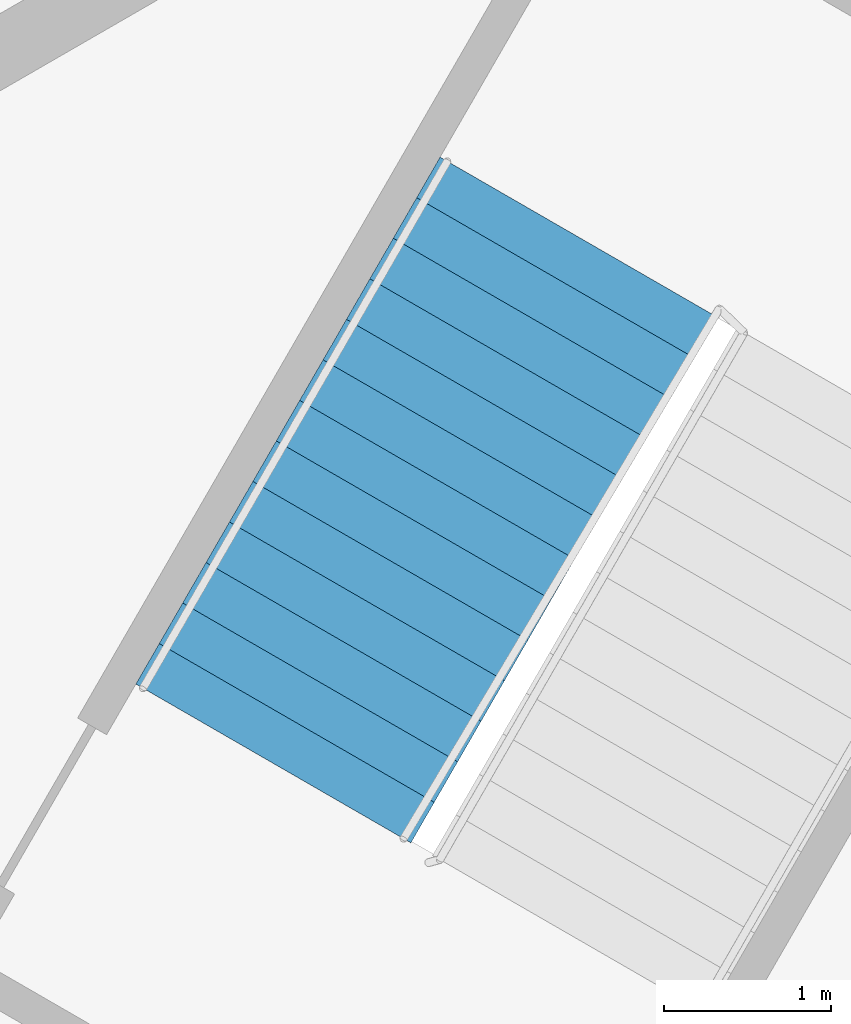
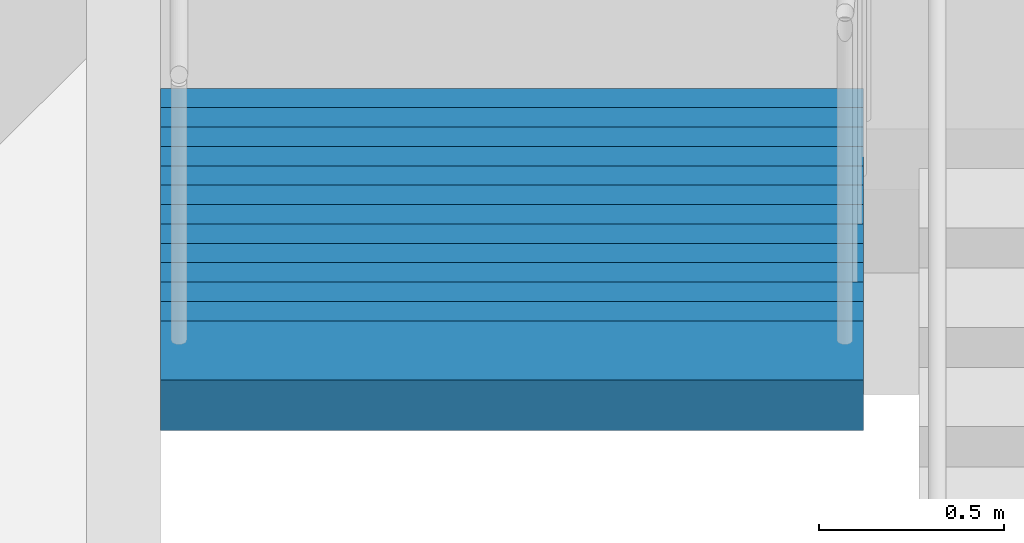
# One storey, part 6 of 9: 1 stair flight, 1 element without a shape of its own.
"""IFC4 building model written with IfcOpenShell, lengths in metres."""

from ifc_helpers import new_model, si_unit, direction, frame, origin, place, context, subcontext, project, spatial, polyline, outline, extrude, material, type_object, element, aggregate, save


model = new_model("IFC4")

# Units and contexts
model_context = context("Model", 3, precision=1e-05, world=origin(), true_north=direction((0.0, 1.0)))
body_context = subcontext(model_context, "Body", "Model", "MODEL_VIEW")
ifc_project = project(units=[si_unit("LENGTHUNIT", "METRE"), si_unit("AREAUNIT", "SQUARE_METRE"), si_unit("VOLUMEUNIT", "CUBIC_METRE"), si_unit("PLANEANGLEUNIT", "RADIAN"), si_unit("MASSUNIT", "GRAM", prefix="KILO")], contexts=[model_context])

# Site, building, storey
site_placement = place(None, origin())
site = spatial("IfcSite", under=ifc_project, at=site_placement, CompositionType="ELEMENT")
building_placement = place(site_placement, origin())
building = spatial("IfcBuilding", under=site, at=building_placement, Name="Jabali Bay Hotel Tower and Convention Centre", CompositionType="ELEMENT")
storey_placement = place(building_placement, frame((0.0, 0.0, 270.10009765625)))
storey = spatial("IfcBuildingStorey", under=building, at=storey_placement, Name="L66", CompositionType="ELEMENT", Elevation=270.10009765625)

# Stair, stair flight
ifc_material = material(Name="Concrete C40", Category="concrete")
stair_type = type_object("IfcStairType", Name="Exit stair 1900", PredefinedType="HALF_TURN_STAIR", material=ifc_material)
stair_placement = place(storey_placement, origin())
stair = element("IfcStair", 1, at=stair_placement, inside=storey, type_object=stair_type, Name="L66 Exit Stair 2", PredefinedType="HALF_TURN_STAIR")
stair_flight_type = type_object("IfcStairFlightType", Name="Stair flight concrete 150", PredefinedType="STRAIGHT", material=ifc_material)
stair_flight_placement = place(storey_placement, frame((85.222412109375, 99.755615234375, 1.849853515625), z_axis=(0.0, 0.0, 1.0), x_axis=(-0.5, -0.866025403784, 0.0)))
stair_flight = element("IfcStairFlight", 2, at=stair_flight_placement, type_object=stair_flight_type, Name="ST2 flight 2", NumberOfRisers=14, NumberOfTreads=13, PredefinedType="STRAIGHT", RiserHeight=0.132142857, TreadLength=0.28, context=body_context, shape_type="SweptSolid", body=[
    extrude(outline(polyline([(0.0, 0.0), (0.0, 0.132080078125), (0.280029296875, 0.132080078125), (0.280029296875, 0.264404296875), (0.56005859375, 0.264404296875), (0.56005859375, 0.396484375), (0.840087890625, 0.396484375), (0.840087890625, 0.528564453125), (1.1201171875, 0.528564453125), (1.1201171875, 0.66064453125), (1.39990234375, 0.66064453125), (1.39990234375, 0.79296875), (1.679931640625, 0.79296875), (1.679931640625, 0.925048828125), (1.9599609375, 0.925048828125), (1.9599609375, 1.05712890625), (2.239990234375, 1.05712890625), (2.239990234375, 1.189208984375), (2.52001953125, 1.189208984375), (2.52001953125, 1.321533203125), (2.800048828125, 1.321533203125), (2.800048828125, 1.45361328125), (3.080078125, 1.45361328125), (3.080078125, 1.585693359375), (3.360107421875, 1.585693359375), (3.360107421875, 1.7177734375), (3.639892578125, 1.7177734375), (3.639892578125, 1.85009765625), (3.639892578125, 1.552001953125), (0.351318359375, 0.0), (0.0, 0.0)])), frame((0.0, 0.949951171875, 0.0), z_axis=(0.0, -1.0, 0.0), x_axis=(1.0, 0.0, 0.0)), (0.0, 0.0, 1.0), 1.89990234375),
])
aggregate(stair, [stair_flight])

save(model, "model.ifc")
